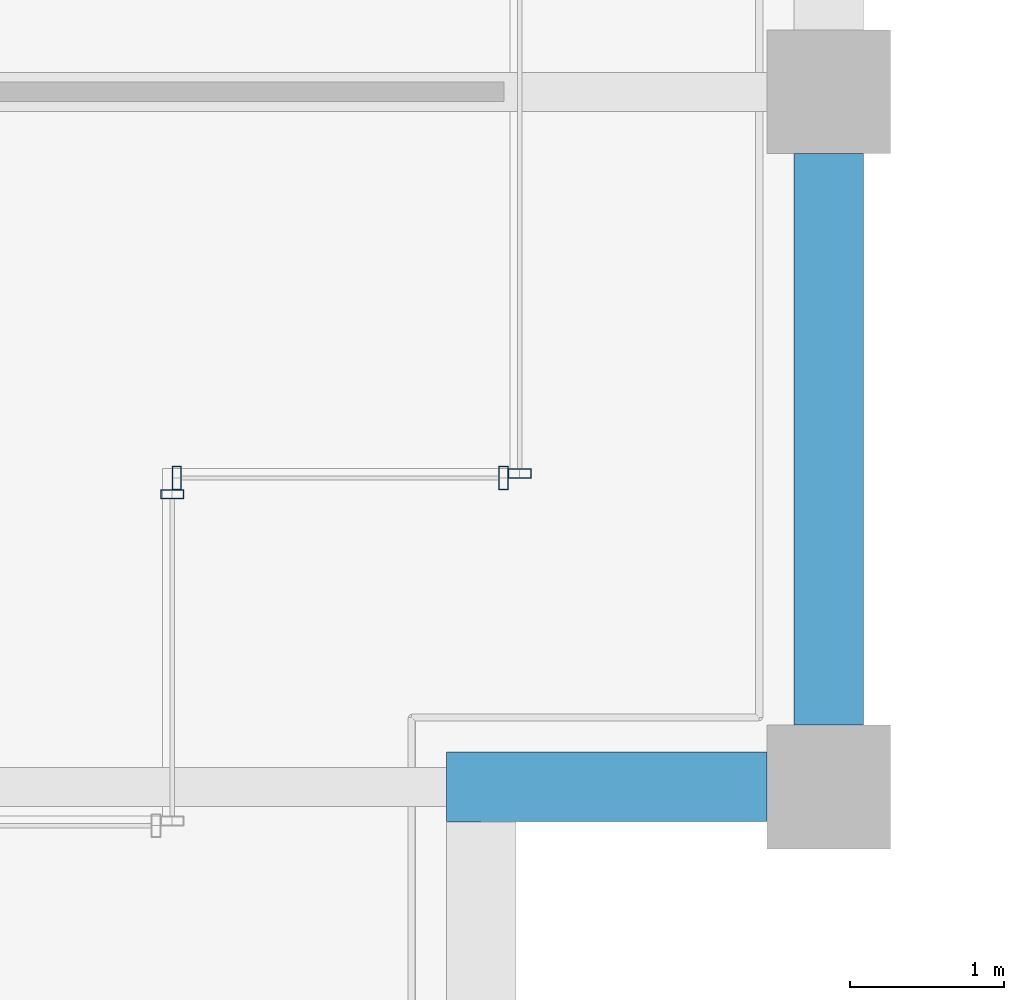
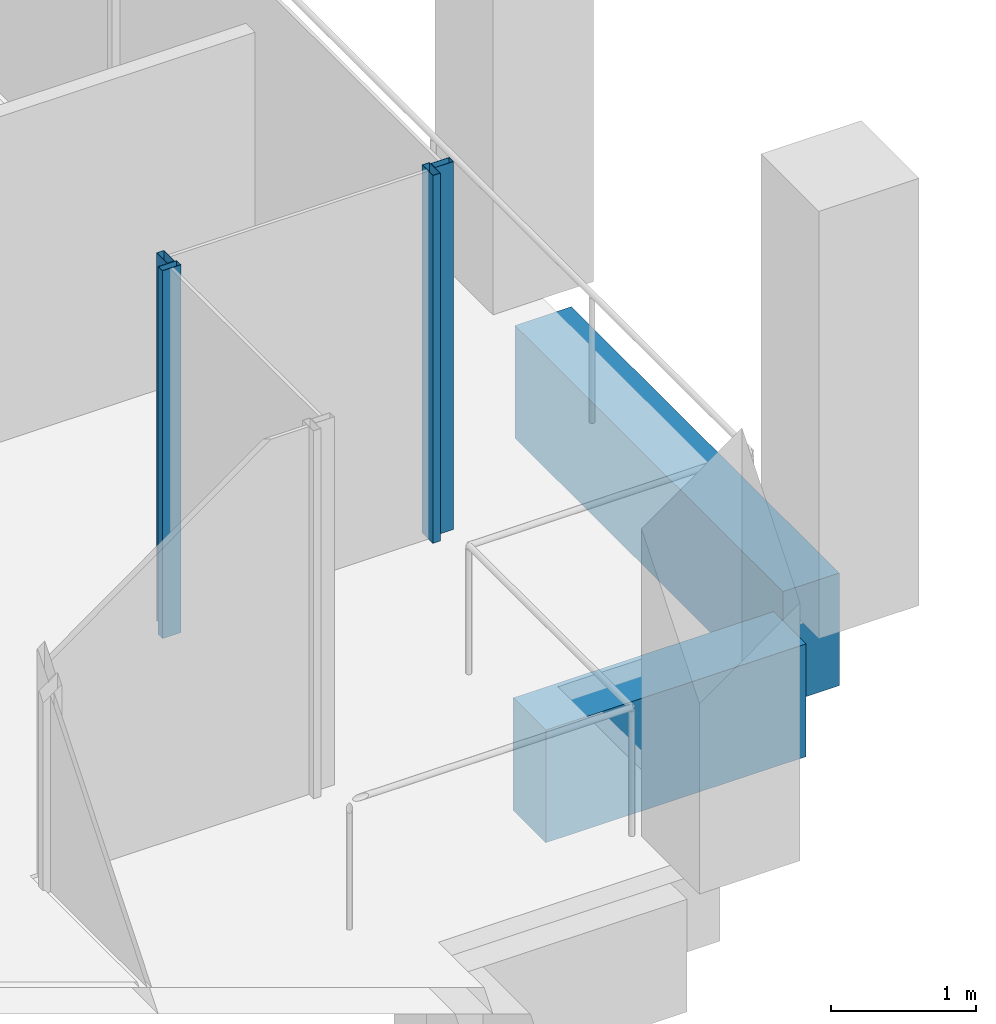
# One storey, part 13 of 41: 4 members, 2 beams, 3 elements without a shape of their own.
"""IFC4 building model written with IfcOpenShell, lengths in metres."""

from ifc_helpers import new_model, si_unit, direction, frame, origin, origin_2d, place, context, subcontext, project, spatial, rectangle, hollow_rectangle, extrude, material, material_profile, profile_set, type_object, element, aggregate, save


model = new_model("IFC4")

# Units and contexts
model_context = context("Model", 3, precision=1e-05, world=origin(), true_north=direction((0.0, 1.0)))
body_context = subcontext(model_context, "Body", "Model", "MODEL_VIEW")
ifc_project = project(units=[si_unit("LENGTHUNIT", "METRE"), si_unit("AREAUNIT", "SQUARE_METRE"), si_unit("VOLUMEUNIT", "CUBIC_METRE"), si_unit("PLANEANGLEUNIT", "RADIAN"), si_unit("MASSUNIT", "GRAM", prefix="KILO")], contexts=[model_context])

# Site, building, storey
site_placement = place(None, origin())
site = spatial("IfcSite", under=ifc_project, at=site_placement, CompositionType="ELEMENT")
building_placement = place(site_placement, origin())
building = spatial("IfcBuilding", under=site, at=building_placement, Name="Altepetl Exchange Towers", CompositionType="ELEMENT")
storey_placement = place(building_placement, frame((0.0, 0.0, 206.39990234375)))
storey = spatial("IfcBuildingStorey", under=building, at=storey_placement, Name="L52", CompositionType="ELEMENT", Elevation=206.39990234375)

# Curtain wall, member
ifc_material_1 = material(Name="Aluminium 6063-T6 glazing", Category="aluminium")
curtain_wall_type = type_object("IfcCurtainWallType", Name="Loggia glazing system", PredefinedType="NOTDEFINED", material=ifc_material_1)
curtain_wall_1_placement = place(storey_placement, origin())
curtain_wall_1 = element("IfcCurtainWall", 1, at=curtain_wall_1_placement, inside=storey, type_object=curtain_wall_type, Name="CW1 run", PredefinedType="NOTDEFINED")
ifc_material_2 = material(Name="Aluminium 6063-T6", Category="aluminium")
ifc_material_profile_1 = material_profile(ifc_material_2, hollow_rectangle(XDim=0.06005859375, YDim=0.14990234375, WallThickness=0.0029296875, at=origin_2d()), Name="Mullion 60x150 aluminium")
ifc_profile_set_1 = profile_set([ifc_material_profile_1], Name="Aluminium 6063-T6")
member_type = type_object("IfcMemberType", Name="Mullion 60x150 aluminium", PredefinedType="MULLION", material=ifc_profile_set_1)
member_1_placement = place(storey_placement, frame((67.75, 33.39501953125, 0.0), z_axis=(0.0, 0.0, 1.0), x_axis=(0.0, 1.0, 0.0)))
member_1 = element("IfcMember", 2, at=member_1_placement, type_object=member_type, Name="MU1 mullion", PredefinedType="MULLION", context=body_context, shape_type="SweptSolid", body=[
    extrude(hollow_rectangle(XDim=0.06005859375, YDim=0.14990234375, WallThickness=0.0029296875, at=origin_2d()), origin(), (0.0, 0.0, 1.0), 3.10009765625),
])
aggregate(curtain_wall_1, [member_1])

# Curtain wall, members
curtain_wall_2_placement = place(storey_placement, origin())
curtain_wall_2 = element("IfcCurtainWall", 3, at=curtain_wall_2_placement, inside=storey, type_object=curtain_wall_type, Name="CW1 run", PredefinedType="NOTDEFINED")
member_2_placement = place(storey_placement, frame((67.780029296875, 33.5, 0.0)))
member_2 = element("IfcMember", 4, at=member_2_placement, type_object=member_type, Name="MU1 mullion", PredefinedType="MULLION", context=body_context, shape_type="SweptSolid", body=[
    extrude(hollow_rectangle(XDim=0.06005859375, YDim=0.14990234375, WallThickness=0.0029296875, at=origin_2d()), origin(), (0.0, 0.0, 1.0), 3.10009765625),
])
member_3_placement = place(storey_placement, frame((69.89501953125, 33.5, 0.0)))
member_3 = element("IfcMember", 5, at=member_3_placement, type_object=member_type, Name="MU1 mullion", PredefinedType="MULLION", context=body_context, shape_type="SweptSolid", body=[
    extrude(hollow_rectangle(XDim=0.06005859375, YDim=0.14990234375, WallThickness=0.0029296875, at=origin_2d()), origin(), (0.0, 0.0, 1.0), 3.10009765625),
])
aggregate(curtain_wall_2, [member_2, member_3])

# Curtain wall, member
curtain_wall_3_placement = place(storey_placement, origin())
curtain_wall_3 = element("IfcCurtainWall", 6, at=curtain_wall_3_placement, inside=storey, type_object=curtain_wall_type, Name="CW1 run", PredefinedType="NOTDEFINED")
member_4_placement = place(storey_placement, frame((70.0, 33.530029296875, 0.0), z_axis=(0.0, 0.0, 1.0), x_axis=(0.0, 1.0, 0.0)))
member_4 = element("IfcMember", 7, at=member_4_placement, type_object=member_type, Name="MU1 mullion", PredefinedType="MULLION", context=body_context, shape_type="SweptSolid", body=[
    extrude(hollow_rectangle(XDim=0.06005859375, YDim=0.14990234375, WallThickness=0.0029296875, at=origin_2d()), origin(), (0.0, 0.0, 1.0), 3.10009765625),
])
aggregate(curtain_wall_3, [member_4])

# Beams
ifc_material_3 = material(Name="Concrete C50/60 precast with cantera amarilla facing", Category="concrete")
ifc_material_profile_2 = material_profile(ifc_material_3, rectangle(XDim=0.449951171875, YDim=0.949951171875, at=origin_2d()), Name="450 x 950")
ifc_profile_set_2 = profile_set([ifc_material_profile_2], Name="Concrete C50/60 precast with cantera amarilla facing")
beam_type = type_object("IfcBeamType", Name="Spandrel beam 450x950 cantera amarilla", PredefinedType="SPANDREL", material=ifc_profile_set_2)
beam_1_placement = place(storey_placement, frame((69.52490234375, 31.5, -0.625), z_axis=(1.0, 0.0, 0.0), x_axis=(0.0, 1.0, 0.0)))
element("IfcBeam", 8, at=beam_1_placement, inside=storey, type_object=beam_type, Name="sp:A:L52:011", PredefinedType="SPANDREL", context=body_context, shape_type="SweptSolid", body=[
    extrude(rectangle(XDim=0.449951171875, YDim=0.949951171875, at=origin_2d()), origin(), (0.0, 0.0, 1.0), 2.0751953125),
])
beam_2_placement = place(storey_placement, frame((72.0, 31.89990234375, -0.625), z_axis=(0.0, 1.0, 0.0), x_axis=(-1.0, 0.0, 0.0)))
element("IfcBeam", 9, at=beam_2_placement, inside=storey, type_object=beam_type, Name="sp:A:L52:012", PredefinedType="SPANDREL", context=body_context, shape_type="SweptSolid", body=[
    extrude(rectangle(XDim=0.449951171875, YDim=0.949951171875, at=origin_2d()), origin(), (0.0, 0.0, 1.0), 3.7001953125),
])

save(model, "model.ifc")
